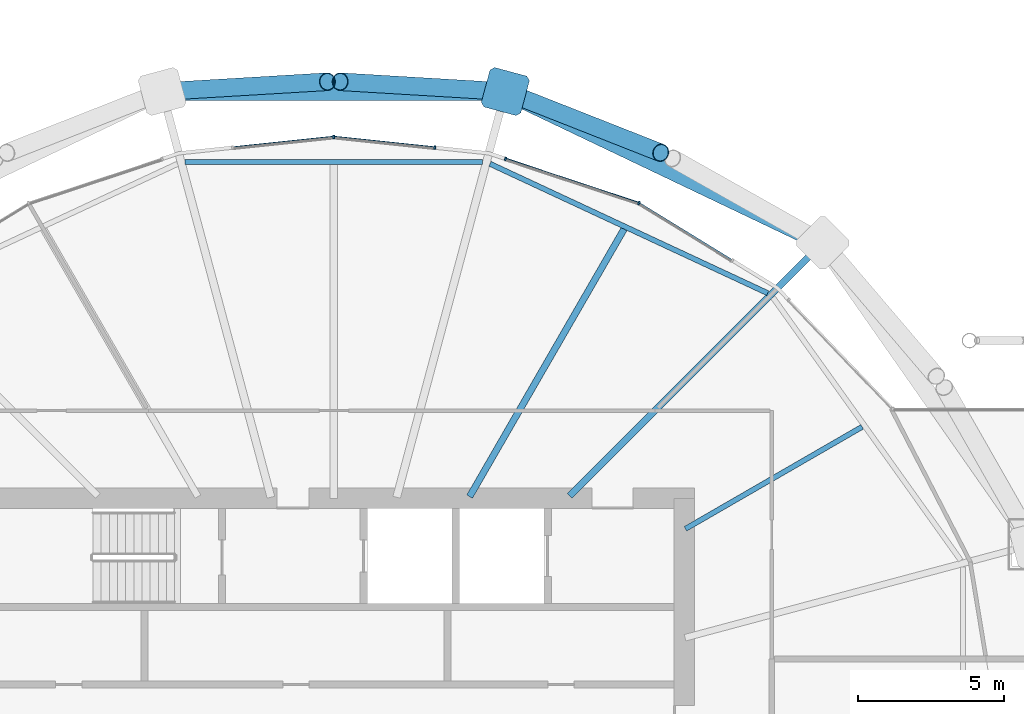
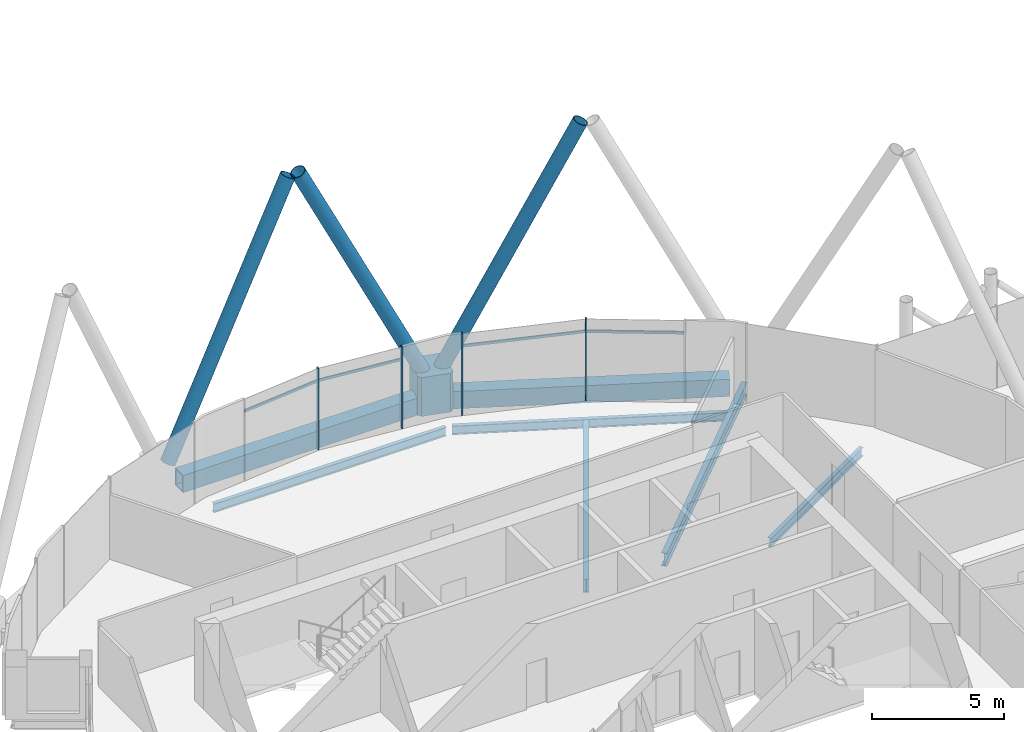
# One storey, part 10 of 35: 12 members, 7 beams, 1 element without a shape of its own.
"""IFC4 building model written with IfcOpenShell, lengths in metres."""

from ifc_helpers import new_model, si_unit, direction, frame, origin, origin_2d, place, context, subcontext, project, spatial, polyline, rectangle, hollow_rectangle, hollow_circle, i_section, outline, extrude, material, material_profile, profile_set, type_object, element, aggregate, save


model = new_model("IFC4")

# Units and contexts
model_context = context("Model", 3, precision=1e-05, world=origin(), true_north=direction((0.0, 1.0)))
body_context = subcontext(model_context, "Body", "Model", "MODEL_VIEW")
ifc_project = project(units=[si_unit("LENGTHUNIT", "METRE"), si_unit("AREAUNIT", "SQUARE_METRE"), si_unit("VOLUMEUNIT", "CUBIC_METRE"), si_unit("PLANEANGLEUNIT", "RADIAN"), si_unit("MASSUNIT", "GRAM", prefix="KILO")], contexts=[model_context])

# Site, building, storey
site_placement = place(None, origin())
site = spatial("IfcSite", under=ifc_project, at=site_placement, CompositionType="ELEMENT")
building_placement = place(site_placement, origin())
building = spatial("IfcBuilding", under=site, at=building_placement, Name="Rimbun Link Towers", CompositionType="ELEMENT")
storey_placement = place(building_placement, frame((0.0, 0.0, 146.800048828125)))
storey = spatial("IfcBuildingStorey", under=building, at=storey_placement, Name="L35", CompositionType="ELEMENT", Elevation=146.800048828125)

# Curtain wall, members
ifc_material_1 = material(Name="Aluminium 6063-T6 and low-iron glass", Category="aluminium")
curtain_wall_type = type_object("IfcCurtainWallType", Name="CW4 link block wall", PredefinedType="NOTDEFINED", material=ifc_material_1)
curtain_wall_placement = place(storey_placement, origin())
curtain_wall = element("IfcCurtainWall", 1, at=curtain_wall_placement, inside=storey, type_object=curtain_wall_type, Name="CW4 L35 T1", PredefinedType="NOTDEFINED")
ifc_material_2 = material(Name="Aluminium 6063-T6", Category="aluminium")
ifc_material_profile_1 = material_profile(ifc_material_2, rectangle(XDim=0.1201171875, YDim=0.06005859375, at=origin_2d()), Name="MULLION 60X120")
ifc_profile_set_1 = profile_set([ifc_material_profile_1], Name="Aluminium 6063-T6")
member_type_1 = type_object("IfcMemberType", Name="CW4 mullion 60X120", PredefinedType="MULLION", material=ifc_profile_set_1)
member_1_placement = place(storey_placement, frame((-21.29931640625, 18.11181640625, 0.0), z_axis=(0.0, 0.0, 1.0), x_axis=(0.421697332152, 0.906736654192, 0.0)))
member_1 = element("IfcMember", 2, at=member_1_placement, type_object=member_type_1, Name="CW4 mullion", PredefinedType="MULLION", context=body_context, shape_type="SweptSolid", body=[
    extrude(rectangle(XDim=0.1201171875, YDim=0.06005859375, at=origin_2d()), origin(), (0.0, 0.0, 1.0), 3.800048828125),
])
member_2_placement = place(storey_placement, frame((-25.867431640625, 19.626220703125, 0.0), z_axis=(0.0, 0.0, 1.0), x_axis=(0.314567961741, 0.949234953763, 0.0)))
member_2 = element("IfcMember", 3, at=member_2_placement, type_object=member_type_1, Name="CW4 mullion", PredefinedType="MULLION", context=body_context, shape_type="SweptSolid", body=[
    extrude(rectangle(XDim=0.1201171875, YDim=0.06005859375, at=origin_2d()), origin(), (0.0, 0.0, 1.0), 3.800048828125),
])
member_3_placement = place(storey_placement, frame((-31.75, 20.37548828125, 0.0), z_axis=(0.0, 0.0, 1.0), x_axis=(0.0, 1.0, 0.0)))
member_3 = element("IfcMember", 4, at=member_3_placement, type_object=member_type_1, Name="CW4 mullion", PredefinedType="MULLION", context=body_context, shape_type="SweptSolid", body=[
    extrude(rectangle(XDim=0.1201171875, YDim=0.06005859375, at=origin_2d()), origin(), (0.0, 0.0, 1.0), 3.800048828125),
])
member_4_placement = place(storey_placement, frame((-28.28955078125, 20.011474609375, 0.0), z_axis=(0.0, 0.0, 1.0), x_axis=(0.104745411125, 0.994499069305, 0.0)))
member_4 = element("IfcMember", 5, at=member_4_placement, type_object=member_type_1, Name="CW4 mullion", PredefinedType="MULLION", context=body_context, shape_type="SweptSolid", body=[
    extrude(rectangle(XDim=0.1201171875, YDim=0.06005859375, at=origin_2d()), origin(), (0.0, 0.0, 1.0), 3.800048828125),
])
ifc_material_3 = material(Name="Aluminium 6063-T6", Category="aluminium")
ifc_material_profile_2 = material_profile(ifc_material_3, rectangle(XDim=0.06005859375, YDim=0.1201171875, at=origin_2d()), Name="TRANSOM 60X120")
ifc_profile_set_2 = profile_set([ifc_material_profile_2], Name="Aluminium 6063-T6")
member_type_2 = type_object("IfcMemberType", Name="CW4 transom 60X120", PredefinedType="USERDEFINED", material=ifc_profile_set_2)
member_5_placement = place(storey_placement, frame((-21.2685546875, 18.09130859375, 3.199951171875), z_axis=(0.85218054514, -0.523247855691, 0.0), x_axis=(0.523247855691, 0.85218054514, 0.0)))
member_5 = element("IfcMember", 6, at=member_5_placement, type_object=member_type_2, Name="CW4 transom", ObjectType="TRANSOM", PredefinedType="USERDEFINED", context=body_context, shape_type="SweptSolid", body=[
    extrude(rectangle(XDim=0.06005859375, YDim=0.1201171875, at=origin_2d()), origin(), (0.0, 0.0, 1.0), 3.688720703125),
])
member_6_placement = place(storey_placement, frame((-25.839599609375, 19.614990234375, 3.199951171875), z_axis=(0.949232304469, -0.314575956093, 0.0), x_axis=(0.314575956093, 0.949232304469, 0.0)))
member_6 = element("IfcMember", 7, at=member_6_placement, type_object=member_type_2, Name="CW4 transom", ObjectType="TRANSOM", PredefinedType="USERDEFINED", context=body_context, shape_type="SweptSolid", body=[
    extrude(rectangle(XDim=0.06005859375, YDim=0.1201171875, at=origin_2d()), origin(), (0.0, 0.0, 1.0), 4.745849609375),
])
member_7_placement = place(storey_placement, frame((-31.714111328125, 20.3701171875, 3.199951171875), z_axis=(0.994502317074, -0.104714570785, 0.0), x_axis=(0.104714570785, 0.994502317074, 0.0)))
member_7 = element("IfcMember", 8, at=member_7_placement, type_object=member_type_2, Name="CW4 transom", ObjectType="TRANSOM", PredefinedType="USERDEFINED", context=body_context, shape_type="SweptSolid", body=[
    extrude(rectangle(XDim=0.06005859375, YDim=0.1201171875, at=origin_2d()), origin(), (0.0, 0.0, 1.0), 3.413330078125),
])
member_8_placement = place(storey_placement, frame((-35.180419921875, 20.0126953125, 3.199951171875), z_axis=(0.994502317074, 0.104714570785, 0.0), x_axis=(-0.104714570785, 0.994502317074, 0.0)))
member_8 = element("IfcMember", 9, at=member_8_placement, type_object=member_type_2, Name="CW4 transom", ObjectType="TRANSOM", PredefinedType="USERDEFINED", context=body_context, shape_type="SweptSolid", body=[
    extrude(rectangle(XDim=0.06005859375, YDim=0.1201171875, at=origin_2d()), origin(), (0.0, 0.0, 1.0), 3.413330078125),
])
aggregate(curtain_wall, [member_1, member_2, member_3, member_4, member_5, member_6, member_7, member_8])

# Members
ifc_material_4 = material(Name="Steel S355J2H", Category="steel")
ifc_material_profile_3 = material_profile(ifc_material_4, hollow_circle(Radius=0.3046875, WallThickness=0.02490234375, at=origin_2d()), Name="Diagrid diagonal CHS 610x25")
ifc_profile_set_3 = profile_set([ifc_material_profile_3], Name="Steel S355J2H")
member_type_3 = type_object("IfcMemberType", Name="Diagrid diagonal CHS 610x25", PredefinedType="BRACE", material=ifc_profile_set_3)
member_9_placement = place(storey_placement, frame((-25.66845703125, 21.8505859375, 0.44873046875), z_axis=(0.410123535284, -0.161506315636, 0.897615951182), x_axis=(0.366411586926, 0.93045287305, 0.0)))
element("IfcMember", 10, at=member_9_placement, inside=storey, type_object=member_type_3, Name="Diagrid diagonal T1 L35-L38 05a", PredefinedType="BRACE", context=body_context, shape_type="SweptSolid", body=[
    extrude(hollow_circle(Radius=0.3046875, WallThickness=0.02490234375, at=origin_2d()), origin(), (0.0, 0.0, 1.0), 12.480224609375),
])
for number, where, z_axis, x_axis, name in (
    (11, (-26.091796875, 21.9443359375, 0.449462890625), (-0.436706555424, 0.026067937647, 0.899226249104), (-0.059586051777, -0.998223172659, 0.0), "Diagrid diagonal T1 L35-L38 05b"),
    (12, (-37.408203125, 21.9443359375, 0.449462890625), (0.436706555424, 0.026067937647, 0.899226249104), (-0.059586051777, 0.998223172659, 0.0), "Diagrid diagonal T1 L35-L38 07a"),
):
    element("IfcMember", number, at=place(storey_placement, frame(where, z_axis=z_axis, x_axis=x_axis)), inside=storey, type_object=member_type_3, Name=name, PredefinedType="BRACE", context=body_context, shape_type="SweptSolid", body=[
        extrude(hollow_circle(Radius=0.3046875, WallThickness=0.02490234375, at=origin_2d()), origin(), (0.0, 0.0, 1.0), 12.456298828125),
    ])
ifc_material_5 = material(Name="Cast steel G20Mn5+QT, Rp0.2 300 MPa", Category="steel")
ifc_material_profile_4 = material_profile(ifc_material_5, outline(polyline([(0.699951171875, -0.570068359375), (0.699951171875, 0.570068359375), (0.570068359375, 0.699951171875), (-0.570068359375, 0.699951171875), (-0.699951171875, 0.570068359375), (-0.699951171875, -0.570068359375), (-0.570068359375, -0.699951171875), (0.570068359375, -0.699951171875), (0.699951171875, -0.570068359375)])), Name="NODE 1400x1400")
ifc_profile_set_4 = profile_set([ifc_material_profile_4], Name="Cast steel G20Mn5+QT, Rp0.2 300 MPa")
member_type_4 = type_object("IfcMemberType", Name="Diagrid node cast 1400", PredefinedType="USERDEFINED", material=ifc_profile_set_4)
member_10_placement = place(storey_placement, frame((-25.87353515625, 21.931396484375, -0.900146484375), z_axis=(0.0, 0.0, 1.0), x_axis=(0.258819045103, 0.965925826289, 0.0)))
element("IfcMember", 13, at=member_10_placement, inside=storey, type_object=member_type_4, Name="Diagrid node L35 05", ObjectType="Diagrid node", PredefinedType="USERDEFINED", context=body_context, shape_type="SweptSolid", body=[
    extrude(outline(polyline([(0.699951171875, -0.570068359375), (0.699951171875, 0.570068359375), (0.570068359375, 0.699951171875), (-0.570068359375, 0.699951171875), (-0.699951171875, 0.570068359375), (-0.699951171875, -0.570068359375), (-0.570068359375, -0.699951171875), (0.570068359375, -0.699951171875), (0.699951171875, -0.570068359375)])), origin(), (0.0, 0.0, 1.0), 1.800048828125),
])

# Beams
ifc_material_6 = material(Name="Steel S355J2", Category="steel")
ifc_material_profile_5 = material_profile(ifc_material_6, hollow_rectangle(XDim=0.60009765625, YDim=0.800048828125, WallThickness=0.0400390625, at=origin_2d()), Name="Exoskeleton ring girder BOX 600x800x40")
ifc_profile_set_5 = profile_set([ifc_material_profile_5], Name="Steel S355J2")
beam_type_1 = type_object("IfcBeamType", Name="Exoskeleton ring girder BOX 600x800x40", PredefinedType="BEAM", material=ifc_profile_set_5)
beam_1_placement = place(storey_placement, frame((-15.63671875, 17.046630859375, -0.56005859375), z_axis=(-0.902515488707, 0.4306573959, 0.0), x_axis=(-0.4306573959, -0.902515488707, 0.0)))
element("IfcBeam", 14, at=beam_1_placement, inside=storey, type_object=beam_type_1, Name="Exoskeleton ring girder L35 01", PredefinedType="BEAM", context=body_context, shape_type="SweptSolid", body=[
    extrude(hollow_rectangle(XDim=0.60009765625, YDim=0.800048828125, WallThickness=0.0400390625, at=origin_2d()), origin(), (0.0, 0.0, 1.0), 10.642333984375),
])
beam_2_placement = place(storey_placement, frame((-26.573486328125, 21.931396484375, -0.56005859375), z_axis=(-1.0, 0.0, 0.0), x_axis=(0.0, -1.0, 0.0)))
element("IfcBeam", 15, at=beam_2_placement, inside=storey, type_object=beam_type_1, Name="Exoskeleton ring girder L35 02", PredefinedType="BEAM", context=body_context, shape_type="SweptSolid", body=[
    extrude(hollow_rectangle(XDim=0.60009765625, YDim=0.800048828125, WallThickness=0.0400390625, at=origin_2d()), origin(), (0.0, 0.0, 1.0), 10.35302734375),
])
ifc_material_7 = material(Name="Steel S355J2", Category="steel")
ifc_material_profile_6 = material_profile(ifc_material_7, i_section(OverallWidth=0.177978515625, OverallDepth=0.406494140625, WebThickness=0.0078125, FlangeThickness=0.0126953125, at=origin_2d()), Name="UB 406x178x60")
ifc_profile_set_6 = profile_set([ifc_material_profile_6], Name="Steel S355J2")
beam_type_2 = type_object("IfcBeamType", Name="UB 406x178x60", PredefinedType="BEAM", material=ifc_profile_set_6)
beam_3_placement = place(storey_placement, frame((-19.70458984375, 6.954345703125, -0.38330078125), z_axis=(0.866015068498, 0.500017900814, 0.0), x_axis=(-0.500017900814, 0.866015068498, 0.0)))
element("IfcBeam", 16, at=beam_3_placement, inside=storey, type_object=beam_type_2, Name="Radial beam T1 L35 02", PredefinedType="BEAM", context=body_context, shape_type="SweptSolid", body=[
    extrude(i_section(OverallWidth=0.177978515625, OverallDepth=0.406494140625, WebThickness=0.0078125, FlangeThickness=0.0126953125, at=origin_2d()), origin(), (0.0, 0.0, 1.0), 6.986083984375),
])
beam_4_placement = place(storey_placement, frame((-16.88818359375, 15.02392578125, -0.38330078125), z_axis=(-0.906398229698, 0.422424252618, 0.0), x_axis=(-0.422424252618, -0.906398229698, 0.0)))
element("IfcBeam", 17, at=beam_4_placement, inside=storey, type_object=beam_type_2, Name="Edge beam T1 L35 03-05", PredefinedType="BEAM", context=body_context, shape_type="SweptSolid", body=[
    extrude(i_section(OverallWidth=0.177978515625, OverallDepth=0.406494140625, WebThickness=0.0078125, FlangeThickness=0.0126953125, at=origin_2d()), origin(), (0.0, 0.0, 1.0), 10.491455078125),
])
beam_5_placement = place(storey_placement, frame((-26.660400390625, 19.513427734375, -0.38330078125), z_axis=(-1.0, 0.0, 0.0), x_axis=(0.0, -1.0, 0.0)))
element("IfcBeam", 18, at=beam_5_placement, inside=storey, type_object=beam_type_2, Name="Edge beam T1 L35 05-07", PredefinedType="BEAM", context=body_context, shape_type="SweptSolid", body=[
    extrude(i_section(OverallWidth=0.177978515625, OverallDepth=0.406494140625, WebThickness=0.0078125, FlangeThickness=0.0126953125, at=origin_2d()), origin(), (0.0, 0.0, 1.0), 10.17919921875),
])
ifc_material_8 = material(Name="Steel S355J2", Category="steel")
ifc_material_profile_7 = material_profile(ifc_material_8, i_section(OverallWidth=0.2275390625, OverallDepth=0.6025390625, WebThickness=0.010498046875, FlangeThickness=0.014892578125, at=origin_2d()), Name="UB 610x229x101")
ifc_profile_set_7 = profile_set([ifc_material_profile_7], Name="Steel S355J2")
beam_type_3 = type_object("IfcBeamType", Name="UB 610x229x101", PredefinedType="BEAM", material=ifc_profile_set_7)
beam_6_placement = place(storey_placement, frame((-23.668701171875, 8.081298828125, -0.4814453125), z_axis=(0.707106781187, 0.707106781187, 0.0), x_axis=(-0.707106781187, 0.707106781187, 0.0)))
element("IfcBeam", 19, at=beam_6_placement, inside=storey, type_object=beam_type_3, Name="Radial beam T1 L35 03", PredefinedType="BEAM", context=body_context, shape_type="SweptSolid", body=[
    extrude(i_section(OverallWidth=0.2275390625, OverallDepth=0.6025390625, WebThickness=0.010498046875, FlangeThickness=0.014892578125, at=origin_2d()), origin(), (0.0, 0.0, 1.0), 11.75244140625),
])
beam_7_placement = place(storey_placement, frame((-27.097900390625, 8.057861328125, -0.4814453125), z_axis=(0.500014158692, 0.866017229106, 0.0), x_axis=(-0.866017229106, 0.500014158692, 0.0)))
element("IfcBeam", 20, at=beam_7_placement, inside=storey, type_object=beam_type_3, Name="Radial beam T1 L35 04", PredefinedType="BEAM", context=body_context, shape_type="SweptSolid", body=[
    extrude(i_section(OverallWidth=0.2275390625, OverallDepth=0.6025390625, WebThickness=0.010498046875, FlangeThickness=0.014892578125, at=origin_2d()), origin(), (0.0, 0.0, 1.0), 10.577392578125),
])

save(model, "model.ifc")
